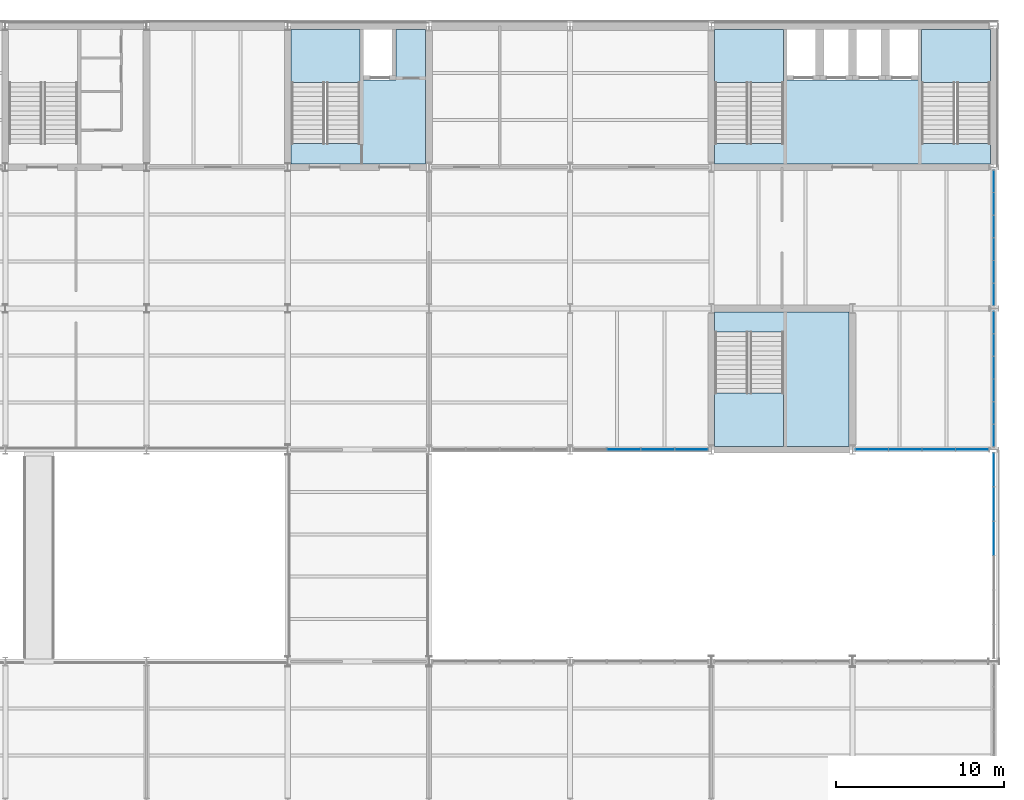
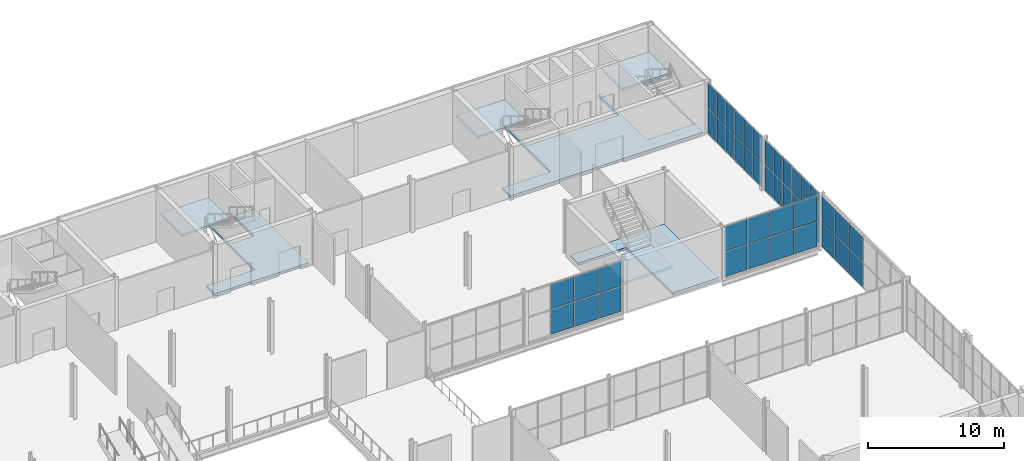
# One storey, part 34 of 61: 44 plates, 7 slabs, 9 elements without a shape of their own.
"""IFC4 building model written with IfcOpenShell, lengths in metres."""

from ifc_helpers import new_model, si_unit, direction, frame, origin, origin_2d, place, context, subcontext, project, spatial, polyline, rectangle, outline, extrude, material, layer, layer_set, type_object, element, aggregate, save


model = new_model("IFC4")

# Units and contexts
model_context = context("Model", 3, precision=1e-05, world=origin(), true_north=direction((0.0, 1.0)))
body_context = subcontext(model_context, "Body", "Model", "MODEL_VIEW")
ifc_project = project(units=[si_unit("LENGTHUNIT", "METRE"), si_unit("AREAUNIT", "SQUARE_METRE"), si_unit("VOLUMEUNIT", "CUBIC_METRE"), si_unit("PLANEANGLEUNIT", "RADIAN"), si_unit("MASSUNIT", "GRAM", prefix="KILO")], contexts=[model_context])

# Site, building, storey
site_placement = place(None, origin())
site = spatial("IfcSite", under=ifc_project, at=site_placement, CompositionType="ELEMENT")
building_placement = place(site_placement, origin())
building = spatial("IfcBuilding", under=site, at=building_placement, Name="Galleria Vessillo Department Store", CompositionType="ELEMENT")
storey_placement = place(building_placement, frame((0.0, 0.0, 11.39990234375)))
storey = spatial("IfcBuildingStorey", under=building, at=storey_placement, Name="L02", CompositionType="ELEMENT", Elevation=11.39990234375)

# Curtain wall, plates
ifc_material_1 = material(Name="Aluminium and glass curtain wall", Category="aluminium")
ifc_layer_1 = layer(ifc_material_1, 0.1201171875)
ifc_layer_set_1 = layer_set([ifc_layer_1], Name="Aluminium and glass curtain wall")
curtain_wall_type_1 = type_object("IfcCurtainWallType", Name="Shopfront curtain wall CW3 1400 module", PredefinedType="NOTDEFINED", material=ifc_layer_set_1)
curtain_wall_1_placement = place(storey_placement, origin())
curtain_wall_1 = element("IfcCurtainWall", 1, at=curtain_wall_1_placement, inside=storey, type_object=curtain_wall_type_1, Name="Shopfront curtain wall CW3 1400 module SE-N-L02-01", PredefinedType="NOTDEFINED")
ifc_material_2 = material(Name="Glass laminated 44.2 low-e", Category="glass")
ifc_layer_2 = layer(ifc_material_2, 0.02392578125)
ifc_layer_set_2 = layer_set([ifc_layer_2], Name="Glass laminated 44.2 low-e")
plate_type_1 = type_object("IfcPlateType", Name="Laminated glass panel 24 mm", PredefinedType="CURTAIN_PANEL", material=ifc_layer_set_2)
plate_1_placement = place(storey_placement, frame((117.60009765625, 38.64013671875, 2.35009765625), z_axis=(0.0, 0.0, 1.0), x_axis=(0.0, 1.0, 0.0)))
plate_1 = element("IfcPlate", 2, at=plate_1_placement, type_object=plate_type_1, Name="CW3 panel 1.2", PredefinedType="CURTAIN_PANEL", context=body_context, shape_type="SweptSolid", body=[
    extrude(rectangle(XDim=1.27392578125, YDim=0.02392578125, at=origin_2d()), origin(), (0.0, 0.0, 1.0), 2.25),
])
plate_2_placement = place(storey_placement, frame((117.60009765625, 39.9765625, 2.35009765625), z_axis=(0.0, 0.0, 1.0), x_axis=(0.0, 1.0, 0.0)))
plate_2 = element("IfcPlate", 3, at=plate_2_placement, type_object=plate_type_1, Name="CW3 panel 2.2", PredefinedType="CURTAIN_PANEL", context=body_context, shape_type="SweptSolid", body=[
    extrude(rectangle(XDim=1.299072265625, YDim=0.02392578125, at=origin_2d()), origin(), (0.0, 0.0, 1.0), 2.25),
])
plate_3_placement = place(storey_placement, frame((117.60009765625, 41.325439453125, 2.35009765625), z_axis=(0.0, 0.0, 1.0), x_axis=(0.0, 1.0, 0.0)))
plate_3 = element("IfcPlate", 4, at=plate_3_placement, type_object=plate_type_1, Name="CW3 panel 3.2", PredefinedType="CURTAIN_PANEL", context=body_context, shape_type="SweptSolid", body=[
    extrude(rectangle(XDim=1.299072265625, YDim=0.02392578125, at=origin_2d()), origin(), (0.0, 0.0, 1.0), 2.25),
])
plate_4_placement = place(storey_placement, frame((117.60009765625, 42.674560546875, 2.35009765625), z_axis=(0.0, 0.0, 1.0), x_axis=(0.0, 1.0, 0.0)))
plate_4 = element("IfcPlate", 5, at=plate_4_placement, type_object=plate_type_1, Name="CW3 panel 4.2", PredefinedType="CURTAIN_PANEL", context=body_context, shape_type="SweptSolid", body=[
    extrude(rectangle(XDim=1.299072265625, YDim=0.02392578125, at=origin_2d()), origin(), (0.0, 0.0, 1.0), 2.25),
])
plate_5_placement = place(storey_placement, frame((117.60009765625, 44.0234375, 2.35009765625), z_axis=(0.0, 0.0, 1.0), x_axis=(0.0, 1.0, 0.0)))
plate_5 = element("IfcPlate", 6, at=plate_5_placement, type_object=plate_type_1, Name="CW3 panel 5.2", PredefinedType="CURTAIN_PANEL", context=body_context, shape_type="SweptSolid", body=[
    extrude(rectangle(XDim=1.299072265625, YDim=0.02392578125, at=origin_2d()), origin(), (0.0, 0.0, 1.0), 2.25),
])
plate_6_placement = place(storey_placement, frame((117.60009765625, 45.35986328125, 2.35009765625), z_axis=(0.0, 0.0, 1.0), x_axis=(0.0, 1.0, 0.0)))
plate_6 = element("IfcPlate", 7, at=plate_6_placement, type_object=plate_type_1, Name="CW3 panel 6.2", PredefinedType="CURTAIN_PANEL", context=body_context, shape_type="SweptSolid", body=[
    extrude(rectangle(XDim=1.27392578125, YDim=0.02392578125, at=origin_2d()), origin(), (0.0, 0.0, 1.0), 2.25),
])

curtain_wall_2_placement = place(storey_placement, origin())
curtain_wall_2 = element("IfcCurtainWall", 8, at=curtain_wall_2_placement, inside=storey, type_object=curtain_wall_type_1, Name="Shopfront curtain wall CW3 1400 module SE-N-L02-02", PredefinedType="NOTDEFINED")
plate_7_placement = place(storey_placement, frame((117.60009765625, 47.0400390625, 2.35009765625), z_axis=(0.0, 0.0, 1.0), x_axis=(0.0, 1.0, 0.0)))
plate_7 = element("IfcPlate", 9, at=plate_7_placement, type_object=plate_type_1, Name="CW3 panel 1.2", PredefinedType="CURTAIN_PANEL", context=body_context, shape_type="SweptSolid", body=[
    extrude(rectangle(XDim=1.27392578125, YDim=0.02392578125, at=origin_2d()), origin(), (0.0, 0.0, 1.0), 2.25),
])
plate_8_placement = place(storey_placement, frame((117.60009765625, 48.37646484375, 2.35009765625), z_axis=(0.0, 0.0, 1.0), x_axis=(0.0, 1.0, 0.0)))
plate_8 = element("IfcPlate", 10, at=plate_8_placement, type_object=plate_type_1, Name="CW3 panel 2.2", PredefinedType="CURTAIN_PANEL", context=body_context, shape_type="SweptSolid", body=[
    extrude(rectangle(XDim=1.299072265625, YDim=0.02392578125, at=origin_2d()), origin(), (0.0, 0.0, 1.0), 2.25),
])
plate_9_placement = place(storey_placement, frame((117.60009765625, 49.7255859375, 2.35009765625), z_axis=(0.0, 0.0, 1.0), x_axis=(0.0, 1.0, 0.0)))
plate_9 = element("IfcPlate", 11, at=plate_9_placement, type_object=plate_type_1, Name="CW3 panel 3.2", PredefinedType="CURTAIN_PANEL", context=body_context, shape_type="SweptSolid", body=[
    extrude(rectangle(XDim=1.299072265625, YDim=0.02392578125, at=origin_2d()), origin(), (0.0, 0.0, 1.0), 2.25),
])
plate_10_placement = place(storey_placement, frame((117.60009765625, 51.074462890625, 2.35009765625), z_axis=(0.0, 0.0, 1.0), x_axis=(0.0, 1.0, 0.0)))
plate_10 = element("IfcPlate", 12, at=plate_10_placement, type_object=plate_type_1, Name="CW3 panel 4.2", PredefinedType="CURTAIN_PANEL", context=body_context, shape_type="SweptSolid", body=[
    extrude(rectangle(XDim=1.299072265625, YDim=0.02392578125, at=origin_2d()), origin(), (0.0, 0.0, 1.0), 2.25),
])
plate_11_placement = place(storey_placement, frame((117.60009765625, 52.423583984375, 2.35009765625), z_axis=(0.0, 0.0, 1.0), x_axis=(0.0, 1.0, 0.0)))
plate_11 = element("IfcPlate", 13, at=plate_11_placement, type_object=plate_type_1, Name="CW3 panel 5.2", PredefinedType="CURTAIN_PANEL", context=body_context, shape_type="SweptSolid", body=[
    extrude(rectangle(XDim=1.299072265625, YDim=0.02392578125, at=origin_2d()), origin(), (0.0, 0.0, 1.0), 2.25),
])
plate_12_placement = place(storey_placement, frame((117.60009765625, 53.760009765625, 2.35009765625), z_axis=(0.0, 0.0, 1.0), x_axis=(0.0, 1.0, 0.0)))
plate_12 = element("IfcPlate", 14, at=plate_12_placement, type_object=plate_type_1, Name="CW3 panel 6.2", PredefinedType="CURTAIN_PANEL", context=body_context, shape_type="SweptSolid", body=[
    extrude(rectangle(XDim=1.27392578125, YDim=0.02392578125, at=origin_2d()), origin(), (0.0, 0.0, 1.0), 2.25),
])

ifc_material_3 = material(Name="Aluminium and glass curtain wall", Category="aluminium")
ifc_layer_3 = layer(ifc_material_3, 0.159912109375)
ifc_layer_set_3 = layer_set([ifc_layer_3], Name="Aluminium and glass curtain wall")
curtain_wall_type_2 = type_object("IfcCurtainWallType", Name="Arcade portal glazing CW2 2100 module", PredefinedType="NOTDEFINED", material=ifc_layer_set_3)
curtain_wall_3_placement = place(storey_placement, origin())
curtain_wall_3 = element("IfcCurtainWall", 15, at=curtain_wall_3_placement, inside=storey, type_object=curtain_wall_type_2, Name="Arcade portal glazing CW2 2100 module PW-E-N-L02-01", PredefinedType="NOTDEFINED")
ifc_material_4 = material(Name="Glass laminated 44.2 low-e", Category="glass")
ifc_layer_4 = layer(ifc_material_4, 0.028076171875)
ifc_layer_set_4 = layer_set([ifc_layer_4], Name="Glass laminated 44.2 low-e")
plate_type_2 = type_object("IfcPlateType", Name="Laminated glass panel 28 mm", PredefinedType="CURTAIN_PANEL", material=ifc_layer_set_4)
plate_13_placement = place(storey_placement, frame((110.360595703125, 37.800048828125, 0.06005859375), z_axis=(0.0, 0.0, 1.0), x_axis=(1.0, 0.0, 0.0)))
plate_13 = element("IfcPlate", 16, at=plate_13_placement, type_object=plate_type_2, Name="CW2 panel 1.1", PredefinedType="CURTAIN_PANEL", context=body_context, shape_type="SweptSolid", body=[
    extrude(rectangle(XDim=1.915283203125, YDim=0.028076171875, at=origin_2d()), origin(), (0.0, 0.0, 1.0), 2.235107421875),
])
plate_14_placement = place(storey_placement, frame((110.360595703125, 37.800048828125, 2.35498046875), z_axis=(0.0, 0.0, 1.0), x_axis=(1.0, 0.0, 0.0)))
plate_14 = element("IfcPlate", 17, at=plate_14_placement, type_object=plate_type_2, Name="CW2 panel 1.2", PredefinedType="CURTAIN_PANEL", context=body_context, shape_type="SweptSolid", body=[
    extrude(rectangle(XDim=1.915283203125, YDim=0.028076171875, at=origin_2d()), origin(), (0.0, 0.0, 1.0), 2.235107421875),
])
plate_15_placement = place(storey_placement, frame((112.33837890625, 37.800048828125, 0.06005859375), z_axis=(0.0, 0.0, 1.0), x_axis=(1.0, 0.0, 0.0)))
plate_15 = element("IfcPlate", 18, at=plate_15_placement, type_object=plate_type_2, Name="CW2 panel 2.1", PredefinedType="CURTAIN_PANEL", context=body_context, shape_type="SweptSolid", body=[
    extrude(rectangle(XDim=1.940185546875, YDim=0.028076171875, at=origin_2d()), origin(), (0.0, 0.0, 1.0), 2.235107421875),
])
plate_16_placement = place(storey_placement, frame((112.33837890625, 37.800048828125, 2.35498046875), z_axis=(0.0, 0.0, 1.0), x_axis=(1.0, 0.0, 0.0)))
plate_16 = element("IfcPlate", 19, at=plate_16_placement, type_object=plate_type_2, Name="CW2 panel 2.2", PredefinedType="CURTAIN_PANEL", context=body_context, shape_type="SweptSolid", body=[
    extrude(rectangle(XDim=1.940185546875, YDim=0.028076171875, at=origin_2d()), origin(), (0.0, 0.0, 1.0), 2.235107421875),
])
plate_17_placement = place(storey_placement, frame((114.328857421875, 37.800048828125, 0.06005859375), z_axis=(0.0, 0.0, 1.0), x_axis=(1.0, 0.0, 0.0)))
plate_17 = element("IfcPlate", 20, at=plate_17_placement, type_object=plate_type_2, Name="CW2 panel 3.1", PredefinedType="CURTAIN_PANEL", context=body_context, shape_type="SweptSolid", body=[
    extrude(rectangle(XDim=1.940185546875, YDim=0.028076171875, at=origin_2d()), origin(), (0.0, 0.0, 1.0), 2.235107421875),
])
plate_18_placement = place(storey_placement, frame((114.328857421875, 37.800048828125, 2.35498046875), z_axis=(0.0, 0.0, 1.0), x_axis=(1.0, 0.0, 0.0)))
plate_18 = element("IfcPlate", 21, at=plate_18_placement, type_object=plate_type_2, Name="CW2 panel 3.2", PredefinedType="CURTAIN_PANEL", context=body_context, shape_type="SweptSolid", body=[
    extrude(rectangle(XDim=1.940185546875, YDim=0.028076171875, at=origin_2d()), origin(), (0.0, 0.0, 1.0), 2.235107421875),
])
plate_19_placement = place(storey_placement, frame((116.306640625, 37.800048828125, 0.06005859375), z_axis=(0.0, 0.0, 1.0), x_axis=(1.0, 0.0, 0.0)))
plate_19 = element("IfcPlate", 22, at=plate_19_placement, type_object=plate_type_2, Name="CW2 panel 4.1", PredefinedType="CURTAIN_PANEL", context=body_context, shape_type="SweptSolid", body=[
    extrude(rectangle(XDim=1.915283203125, YDim=0.028076171875, at=origin_2d()), origin(), (0.0, 0.0, 1.0), 2.235107421875),
])
plate_20_placement = place(storey_placement, frame((116.306640625, 37.800048828125, 2.35498046875), z_axis=(0.0, 0.0, 1.0), x_axis=(1.0, 0.0, 0.0)))
plate_20 = element("IfcPlate", 23, at=plate_20_placement, type_object=plate_type_2, Name="CW2 panel 4.2", PredefinedType="CURTAIN_PANEL", context=body_context, shape_type="SweptSolid", body=[
    extrude(rectangle(XDim=1.915283203125, YDim=0.028076171875, at=origin_2d()), origin(), (0.0, 0.0, 1.0), 2.235107421875),
])
aggregate(curtain_wall_3, [plate_13, plate_14, plate_15, plate_16, plate_17, plate_18, plate_19, plate_20])

curtain_wall_4_placement = place(storey_placement, origin())
curtain_wall_4 = element("IfcCurtainWall", 24, at=curtain_wall_4_placement, inside=storey, type_object=curtain_wall_type_2, Name="Arcade portal glazing CW2 2100 module SCR-E-L02-01", PredefinedType="NOTDEFINED")
plate_21_placement = place(storey_placement, frame((117.60009765625, 32.524169921875, 0.06005859375), z_axis=(0.0, 0.0, 1.0), x_axis=(0.0, 1.0, 0.0)))
plate_21 = element("IfcPlate", 25, at=plate_21_placement, type_object=plate_type_2, Name="CW2 panel 4.1", PredefinedType="CURTAIN_PANEL", context=body_context, shape_type="SweptSolid", body=[
    extrude(rectangle(XDim=1.9990234375, YDim=0.028076171875, at=origin_2d()), origin(), (0.0, 0.0, 1.0), 2.235107421875),
])
plate_22_placement = place(storey_placement, frame((117.60009765625, 32.524169921875, 2.35498046875), z_axis=(0.0, 0.0, 1.0), x_axis=(0.0, 1.0, 0.0)))
plate_22 = element("IfcPlate", 26, at=plate_22_placement, type_object=plate_type_2, Name="CW2 panel 4.2", PredefinedType="CURTAIN_PANEL", context=body_context, shape_type="SweptSolid", body=[
    extrude(rectangle(XDim=1.9990234375, YDim=0.028076171875, at=origin_2d()), origin(), (0.0, 0.0, 1.0), 2.235107421875),
])
plate_23_placement = place(storey_placement, frame((117.60009765625, 34.573486328125, 0.06005859375), z_axis=(0.0, 0.0, 1.0), x_axis=(0.0, 1.0, 0.0)))
plate_23 = element("IfcPlate", 27, at=plate_23_placement, type_object=plate_type_2, Name="CW2 panel 5.1", PredefinedType="CURTAIN_PANEL", context=body_context, shape_type="SweptSolid", body=[
    extrude(rectangle(XDim=1.9990234375, YDim=0.028076171875, at=origin_2d()), origin(), (0.0, 0.0, 1.0), 2.235107421875),
])
plate_24_placement = place(storey_placement, frame((117.60009765625, 34.573486328125, 2.35498046875), z_axis=(0.0, 0.0, 1.0), x_axis=(0.0, 1.0, 0.0)))
plate_24 = element("IfcPlate", 28, at=plate_24_placement, type_object=plate_type_2, Name="CW2 panel 5.2", PredefinedType="CURTAIN_PANEL", context=body_context, shape_type="SweptSolid", body=[
    extrude(rectangle(XDim=1.9990234375, YDim=0.028076171875, at=origin_2d()), origin(), (0.0, 0.0, 1.0), 2.235107421875),
])
plate_25_placement = place(storey_placement, frame((117.60009765625, 36.60986328125, 0.06005859375), z_axis=(0.0, 0.0, 1.0), x_axis=(0.0, 1.0, 0.0)))
plate_25 = element("IfcPlate", 29, at=plate_25_placement, type_object=plate_type_2, Name="CW2 panel 6.1", PredefinedType="CURTAIN_PANEL", context=body_context, shape_type="SweptSolid", body=[
    extrude(rectangle(XDim=1.97412109375, YDim=0.028076171875, at=origin_2d()), origin(), (0.0, 0.0, 1.0), 2.235107421875),
])
plate_26_placement = place(storey_placement, frame((117.60009765625, 36.60986328125, 2.35498046875), z_axis=(0.0, 0.0, 1.0), x_axis=(0.0, 1.0, 0.0)))
plate_26 = element("IfcPlate", 30, at=plate_26_placement, type_object=plate_type_2, Name="CW2 panel 6.2", PredefinedType="CURTAIN_PANEL", context=body_context, shape_type="SweptSolid", body=[
    extrude(rectangle(XDim=1.97412109375, YDim=0.028076171875, at=origin_2d()), origin(), (0.0, 0.0, 1.0), 2.235107421875),
])
aggregate(curtain_wall_4, [plate_21, plate_22, plate_23, plate_24, plate_25, plate_26])

ifc_material_5 = material(Name="Aluminium and glass curtain wall", Category="aluminium")
ifc_layer_5 = layer(ifc_material_5, 0.199951171875)
ifc_layer_set_5 = layer_set([ifc_layer_5], Name="Aluminium and glass curtain wall")
curtain_wall_type_3 = type_object("IfcCurtainWallType", Name="Arcade curtain wall CW1 2100 module", PredefinedType="NOTDEFINED", material=ifc_layer_set_5)
curtain_wall_5_placement = place(storey_placement, origin())
curtain_wall_5 = element("IfcCurtainWall", 31, at=curtain_wall_5_placement, inside=storey, type_object=curtain_wall_type_3, Name="Arcade curtain wall CW1 2100 module AI-AE-N-L02-02", PredefinedType="NOTDEFINED")
ifc_material_6 = material(Name="Glass laminated 44.2 low-e", Category="glass")
ifc_layer_6 = layer(ifc_material_6, 0.031982421875)
ifc_layer_set_6 = layer_set([ifc_layer_6], Name="Glass laminated 44.2 low-e")
plate_type_3 = type_object("IfcPlateType", Name="Laminated glass panel 32 mm", PredefinedType="CURTAIN_PANEL", material=ifc_layer_set_6)
plate_27_placement = place(storey_placement, frame((95.588134765625, 37.800048828125, 0.06982421875), z_axis=(0.0, 0.0, 1.0), x_axis=(1.0, 0.0, 0.0)))
plate_27 = element("IfcPlate", 32, at=plate_27_placement, type_object=plate_type_3, Name="CW1 panel 2.1", PredefinedType="CURTAIN_PANEL", context=body_context, shape_type="SweptSolid", body=[
    extrude(rectangle(XDim=1.96337890625, YDim=0.031982421875, at=origin_2d()), origin(), (0.0, 0.0, 1.0), 2.22021484375),
])
plate_28_placement = place(storey_placement, frame((95.588134765625, 37.800048828125, 2.3603515625), z_axis=(0.0, 0.0, 1.0), x_axis=(1.0, 0.0, 0.0)))
plate_28 = element("IfcPlate", 33, at=plate_28_placement, type_object=plate_type_3, Name="CW1 panel 2.2", PredefinedType="CURTAIN_PANEL", context=body_context, shape_type="SweptSolid", body=[
    extrude(rectangle(XDim=1.96337890625, YDim=0.031982421875, at=origin_2d()), origin(), (0.0, 0.0, 1.0), 2.219970703125),
])
plate_29_placement = place(storey_placement, frame((97.61181640625, 37.800048828125, 0.06982421875), z_axis=(0.0, 0.0, 1.0), x_axis=(1.0, 0.0, 0.0)))
plate_29 = element("IfcPlate", 34, at=plate_29_placement, type_object=plate_type_3, Name="CW1 panel 3.1", PredefinedType="CURTAIN_PANEL", context=body_context, shape_type="SweptSolid", body=[
    extrude(rectangle(XDim=1.96337890625, YDim=0.031982421875, at=origin_2d()), origin(), (0.0, 0.0, 1.0), 2.22021484375),
])
plate_30_placement = place(storey_placement, frame((97.61181640625, 37.800048828125, 2.3603515625), z_axis=(0.0, 0.0, 1.0), x_axis=(1.0, 0.0, 0.0)))
plate_30 = element("IfcPlate", 35, at=plate_30_placement, type_object=plate_type_3, Name="CW1 panel 3.2", PredefinedType="CURTAIN_PANEL", context=body_context, shape_type="SweptSolid", body=[
    extrude(rectangle(XDim=1.96337890625, YDim=0.031982421875, at=origin_2d()), origin(), (0.0, 0.0, 1.0), 2.219970703125),
])
plate_31_placement = place(storey_placement, frame((99.6201171875, 37.800048828125, 0.06982421875), z_axis=(0.0, 0.0, 1.0), x_axis=(1.0, 0.0, 0.0)))
plate_31 = element("IfcPlate", 36, at=plate_31_placement, type_object=plate_type_3, Name="CW1 panel 4.1", PredefinedType="CURTAIN_PANEL", context=body_context, shape_type="SweptSolid", body=[
    extrude(rectangle(XDim=1.93359375, YDim=0.031982421875, at=origin_2d()), origin(), (0.0, 0.0, 1.0), 2.22021484375),
])
plate_32_placement = place(storey_placement, frame((99.6201171875, 37.800048828125, 2.3603515625), z_axis=(0.0, 0.0, 1.0), x_axis=(1.0, 0.0, 0.0)))
plate_32 = element("IfcPlate", 37, at=plate_32_placement, type_object=plate_type_3, Name="CW1 panel 4.2", PredefinedType="CURTAIN_PANEL", context=body_context, shape_type="SweptSolid", body=[
    extrude(rectangle(XDim=1.93359375, YDim=0.031982421875, at=origin_2d()), origin(), (0.0, 0.0, 1.0), 2.219970703125),
])
aggregate(curtain_wall_5, [plate_27, plate_28, plate_29, plate_30, plate_31, plate_32])

# Slabs
ifc_material_7 = material(Name="Concrete C32/40 reinforced", Category="concrete")
ifc_layer_7 = layer(ifc_material_7, 0.219970703125)
ifc_layer_set_7 = layer_set([ifc_layer_7], Name="Concrete C32/40 reinforced")
slab_type_1 = type_object("IfcSlabType", Name="Reinforced concrete core floor slab 220 mm", PredefinedType="FLOOR", material=ifc_layer_set_7)
slab_1_placement = place(storey_placement, frame((0.0, 0.0, -0.219970703125)))
element("IfcSlab", 38, at=slab_1_placement, inside=storey, type_object=slab_type_1, Name="S-SLAB-L02-CORE-PC-NE", PredefinedType="FLOOR", context=body_context, shape_type="SweptSolid", body=[
    extrude(outline(polyline([(83.800048828125, 62.800048828125), (83.800048828125, 54.800048828125), (75.800048828125, 54.800048828125), (75.800048828125, 56.0), (79.89990234375, 56.0), (79.89990234375, 62.800048828125), (80.10009765625, 62.800048828125), (80.10009765625, 59.800048828125), (82.050048828125, 59.800048828125), (82.050048828125, 62.800048828125), (83.800048828125, 62.800048828125)])), origin(), (0.0, 0.0, 1.0), 0.219970703125),
])
slab_2_placement = place(storey_placement, frame((0.0, 0.0, -0.219970703125)))
element("IfcSlab", 39, at=slab_2_placement, inside=storey, type_object=slab_type_1, Name="S-SLAB-L02-CORE-TC", PredefinedType="FLOOR", context=body_context, shape_type="SweptSolid", body=[
    extrude(outline(polyline([(117.400146484375, 54.800048828125), (101.0, 54.800048828125), (101.0, 56.0), (105.10009765625, 56.0), (105.10009765625, 62.800048828125), (105.300048828125, 62.800048828125), (105.300048828125, 59.800048828125), (113.10009765625, 59.800048828125), (113.10009765625, 62.800048828125), (113.300048828125, 62.800048828125), (113.300048828125, 56.0), (117.39990234375, 56.0), (117.39990234375, 62.800048828125), (117.400146484375, 54.800048828125)])), origin(), (0.0, 0.0, 1.0), 0.219970703125),
])
slab_3_placement = place(storey_placement, frame((0.0, 0.0, -0.219970703125)))
element("IfcSlab", 40, at=slab_3_placement, inside=storey, type_object=slab_type_1, Name="S-SLAB-L02-CORE-TS", PredefinedType="FLOOR", context=body_context, shape_type="SweptSolid", body=[
    extrude(outline(polyline([(101.0, 46.0), (109.0, 46.0), (109.0, 38.0), (105.10009765625, 38.0), (105.10009765625, 44.800048828125), (101.0, 44.800048828125), (101.0, 46.0)])), origin(), (0.0, 0.0, 1.0), 0.219970703125),
])

# Stair, slab
ifc_material_8 = material(Name="Concrete C32/40", Category="concrete")
stair_type = type_object("IfcStairType", Name="Half-turn escape stair 2000 mm, 28 risers of 171 mm", PredefinedType="HALF_TURN_STAIR", material=ifc_material_8)
stair_1_placement = place(storey_placement, origin())
stair_1 = element("IfcStair", 41, at=stair_1_placement, inside=storey, type_object=stair_type, Name="Stair ST6 L02", PredefinedType="HALF_TURN_STAIR")
ifc_material_9 = material(Name="Concrete C32/40", Category="concrete")
ifc_layer_8 = layer(ifc_material_9, 0.199951171875)
ifc_layer_set_8 = layer_set([ifc_layer_8], Name="Concrete C32/40")
slab_type_2 = type_object("IfcSlabType", Name="Stair half landing 4100 x 3160 mm", PredefinedType="LANDING", material=ifc_layer_set_8)
slab_4_placement = place(storey_placement, frame((0.0, 0.0, 2.2001953125)))
slab_4 = element("IfcSlab", 42, at=slab_4_placement, type_object=slab_type_2, Name="ST6 landing 1", PredefinedType="LANDING", context=body_context, shape_type="SweptSolid", body=[
    extrude(outline(polyline([(75.800048828125, 59.639892578125), (75.800048828125, 62.800048828125), (79.900146484375, 62.800048828125), (79.900146484375, 59.639892578125), (75.800048828125, 59.639892578125)])), origin(), (0.0, 0.0, 1.0), 0.199951171875),
])
aggregate(stair_1, [slab_4])

stair_2_placement = place(storey_placement, origin())
stair_2 = element("IfcStair", 43, at=stair_2_placement, inside=storey, type_object=stair_type, Name="Stair ST8 L02", PredefinedType="HALF_TURN_STAIR")
slab_5_placement = place(storey_placement, frame((0.0, 0.0, 2.2001953125)))
slab_5 = element("IfcSlab", 44, at=slab_5_placement, type_object=slab_type_2, Name="ST8 landing 1", PredefinedType="LANDING", context=body_context, shape_type="SweptSolid", body=[
    extrude(outline(polyline([(101.0, 59.639892578125), (101.0, 62.800048828125), (105.10009765625, 62.800048828125), (105.10009765625, 59.639892578125), (101.0, 59.639892578125)])), origin(), (0.0, 0.0, 1.0), 0.199951171875),
])
aggregate(stair_2, [slab_5])

stair_3_placement = place(storey_placement, origin())
stair_3 = element("IfcStair", 45, at=stair_3_placement, inside=storey, type_object=stair_type, Name="Stair ST9 L02", PredefinedType="HALF_TURN_STAIR")
slab_6_placement = place(storey_placement, frame((0.0, 0.0, 2.2001953125)))
slab_6 = element("IfcSlab", 46, at=slab_6_placement, type_object=slab_type_2, Name="ST9 landing 1", PredefinedType="LANDING", context=body_context, shape_type="SweptSolid", body=[
    extrude(outline(polyline([(113.300048828125, 59.639892578125), (113.300048828125, 62.800048828125), (117.400146484375, 62.800048828125), (117.400146484375, 59.639892578125), (113.300048828125, 59.639892578125)])), origin(), (0.0, 0.0, 1.0), 0.199951171875),
])
aggregate(stair_3, [slab_6])

stair_4_placement = place(storey_placement, origin())
stair_4 = element("IfcStair", 47, at=stair_4_placement, inside=storey, type_object=stair_type, Name="Stair ST12 L02", PredefinedType="HALF_TURN_STAIR")
slab_7_placement = place(storey_placement, frame((0.0, 0.0, 2.2001953125)))
slab_7 = element("IfcSlab", 48, at=slab_7_placement, type_object=slab_type_2, Name="ST12 landing 1", PredefinedType="LANDING", context=body_context, shape_type="SweptSolid", body=[
    extrude(outline(polyline([(101.0, 38.0), (101.0, 41.159912109375), (105.10009765625, 41.159912109375), (105.10009765625, 38.0), (101.0, 38.0)])), origin(), (0.0, 0.0, 1.0), 0.199951171875),
])
aggregate(stair_4, [slab_7])

# Plate
ifc_material_10 = material(Name="Limestone spandrel on aluminium tray", Category="masonry")
ifc_layer_9 = layer(ifc_material_10, 0.02392578125)
ifc_layer_set_9 = layer_set([ifc_layer_9], Name="Limestone spandrel on aluminium tray")
plate_type_4 = type_object("IfcPlateType", Name="Stone spandrel panel 24 mm", PredefinedType="CURTAIN_PANEL", material=ifc_layer_set_9)
plate_33_placement = place(storey_placement, frame((117.60009765625, 38.64013671875, 0.050048828125), z_axis=(0.0, 0.0, 1.0), x_axis=(0.0, 1.0, 0.0)))
plate_33 = element("IfcPlate", 49, at=plate_33_placement, type_object=plate_type_4, Name="CW3 panel 1.1", PredefinedType="CURTAIN_PANEL", context=body_context, shape_type="SweptSolid", body=[
    extrude(rectangle(XDim=1.27392578125, YDim=0.02392578125, at=origin_2d()), origin(), (0.0, 0.0, 1.0), 2.25),
])

plate_34_placement = place(storey_placement, frame((117.60009765625, 39.9765625, 0.050048828125), z_axis=(0.0, 0.0, 1.0), x_axis=(0.0, 1.0, 0.0)))
plate_34 = element("IfcPlate", 50, at=plate_34_placement, type_object=plate_type_4, Name="CW3 panel 2.1", PredefinedType="CURTAIN_PANEL", context=body_context, shape_type="SweptSolid", body=[
    extrude(rectangle(XDim=1.299072265625, YDim=0.02392578125, at=origin_2d()), origin(), (0.0, 0.0, 1.0), 2.25),
])

plate_35_placement = place(storey_placement, frame((117.60009765625, 41.325439453125, 0.050048828125), z_axis=(0.0, 0.0, 1.0), x_axis=(0.0, 1.0, 0.0)))
plate_35 = element("IfcPlate", 51, at=plate_35_placement, type_object=plate_type_4, Name="CW3 panel 3.1", PredefinedType="CURTAIN_PANEL", context=body_context, shape_type="SweptSolid", body=[
    extrude(rectangle(XDim=1.299072265625, YDim=0.02392578125, at=origin_2d()), origin(), (0.0, 0.0, 1.0), 2.25),
])

plate_36_placement = place(storey_placement, frame((117.60009765625, 42.674560546875, 0.050048828125), z_axis=(0.0, 0.0, 1.0), x_axis=(0.0, 1.0, 0.0)))
plate_36 = element("IfcPlate", 52, at=plate_36_placement, type_object=plate_type_4, Name="CW3 panel 4.1", PredefinedType="CURTAIN_PANEL", context=body_context, shape_type="SweptSolid", body=[
    extrude(rectangle(XDim=1.299072265625, YDim=0.02392578125, at=origin_2d()), origin(), (0.0, 0.0, 1.0), 2.25),
])

plate_37_placement = place(storey_placement, frame((117.60009765625, 44.0234375, 0.050048828125), z_axis=(0.0, 0.0, 1.0), x_axis=(0.0, 1.0, 0.0)))
plate_37 = element("IfcPlate", 53, at=plate_37_placement, type_object=plate_type_4, Name="CW3 panel 5.1", PredefinedType="CURTAIN_PANEL", context=body_context, shape_type="SweptSolid", body=[
    extrude(rectangle(XDim=1.299072265625, YDim=0.02392578125, at=origin_2d()), origin(), (0.0, 0.0, 1.0), 2.25),
])

plate_38_placement = place(storey_placement, frame((117.60009765625, 45.35986328125, 0.050048828125), z_axis=(0.0, 0.0, 1.0), x_axis=(0.0, 1.0, 0.0)))
plate_38 = element("IfcPlate", 54, at=plate_38_placement, type_object=plate_type_4, Name="CW3 panel 6.1", PredefinedType="CURTAIN_PANEL", context=body_context, shape_type="SweptSolid", body=[
    extrude(rectangle(XDim=1.27392578125, YDim=0.02392578125, at=origin_2d()), origin(), (0.0, 0.0, 1.0), 2.25),
])

aggregate(curtain_wall_1, [plate_33, plate_1, plate_34, plate_2, plate_35, plate_3, plate_36, plate_4, plate_37, plate_5, plate_38, plate_6])

plate_39_placement = place(storey_placement, frame((117.60009765625, 47.0400390625, 0.050048828125), z_axis=(0.0, 0.0, 1.0), x_axis=(0.0, 1.0, 0.0)))
plate_39 = element("IfcPlate", 55, at=plate_39_placement, type_object=plate_type_4, Name="CW3 panel 1.1", PredefinedType="CURTAIN_PANEL", context=body_context, shape_type="SweptSolid", body=[
    extrude(rectangle(XDim=1.27392578125, YDim=0.02392578125, at=origin_2d()), origin(), (0.0, 0.0, 1.0), 2.25),
])

plate_40_placement = place(storey_placement, frame((117.60009765625, 48.37646484375, 0.050048828125), z_axis=(0.0, 0.0, 1.0), x_axis=(0.0, 1.0, 0.0)))
plate_40 = element("IfcPlate", 56, at=plate_40_placement, type_object=plate_type_4, Name="CW3 panel 2.1", PredefinedType="CURTAIN_PANEL", context=body_context, shape_type="SweptSolid", body=[
    extrude(rectangle(XDim=1.299072265625, YDim=0.02392578125, at=origin_2d()), origin(), (0.0, 0.0, 1.0), 2.25),
])

plate_41_placement = place(storey_placement, frame((117.60009765625, 49.7255859375, 0.050048828125), z_axis=(0.0, 0.0, 1.0), x_axis=(0.0, 1.0, 0.0)))
plate_41 = element("IfcPlate", 57, at=plate_41_placement, type_object=plate_type_4, Name="CW3 panel 3.1", PredefinedType="CURTAIN_PANEL", context=body_context, shape_type="SweptSolid", body=[
    extrude(rectangle(XDim=1.299072265625, YDim=0.02392578125, at=origin_2d()), origin(), (0.0, 0.0, 1.0), 2.25),
])

plate_42_placement = place(storey_placement, frame((117.60009765625, 51.074462890625, 0.050048828125), z_axis=(0.0, 0.0, 1.0), x_axis=(0.0, 1.0, 0.0)))
plate_42 = element("IfcPlate", 58, at=plate_42_placement, type_object=plate_type_4, Name="CW3 panel 4.1", PredefinedType="CURTAIN_PANEL", context=body_context, shape_type="SweptSolid", body=[
    extrude(rectangle(XDim=1.299072265625, YDim=0.02392578125, at=origin_2d()), origin(), (0.0, 0.0, 1.0), 2.25),
])

plate_43_placement = place(storey_placement, frame((117.60009765625, 52.423583984375, 0.050048828125), z_axis=(0.0, 0.0, 1.0), x_axis=(0.0, 1.0, 0.0)))
plate_43 = element("IfcPlate", 59, at=plate_43_placement, type_object=plate_type_4, Name="CW3 panel 5.1", PredefinedType="CURTAIN_PANEL", context=body_context, shape_type="SweptSolid", body=[
    extrude(rectangle(XDim=1.299072265625, YDim=0.02392578125, at=origin_2d()), origin(), (0.0, 0.0, 1.0), 2.25),
])

plate_44_placement = place(storey_placement, frame((117.60009765625, 53.760009765625, 0.050048828125), z_axis=(0.0, 0.0, 1.0), x_axis=(0.0, 1.0, 0.0)))
plate_44 = element("IfcPlate", 60, at=plate_44_placement, type_object=plate_type_4, Name="CW3 panel 6.1", PredefinedType="CURTAIN_PANEL", context=body_context, shape_type="SweptSolid", body=[
    extrude(rectangle(XDim=1.27392578125, YDim=0.02392578125, at=origin_2d()), origin(), (0.0, 0.0, 1.0), 2.25),
])

aggregate(curtain_wall_2, [plate_39, plate_7, plate_40, plate_8, plate_41, plate_9, plate_42, plate_10, plate_43, plate_11, plate_44, plate_12])

save(model, "model.ifc")
